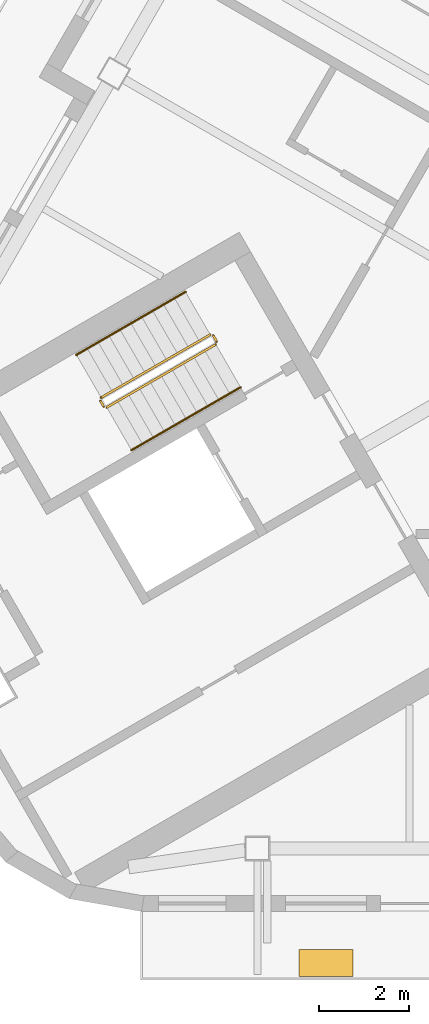
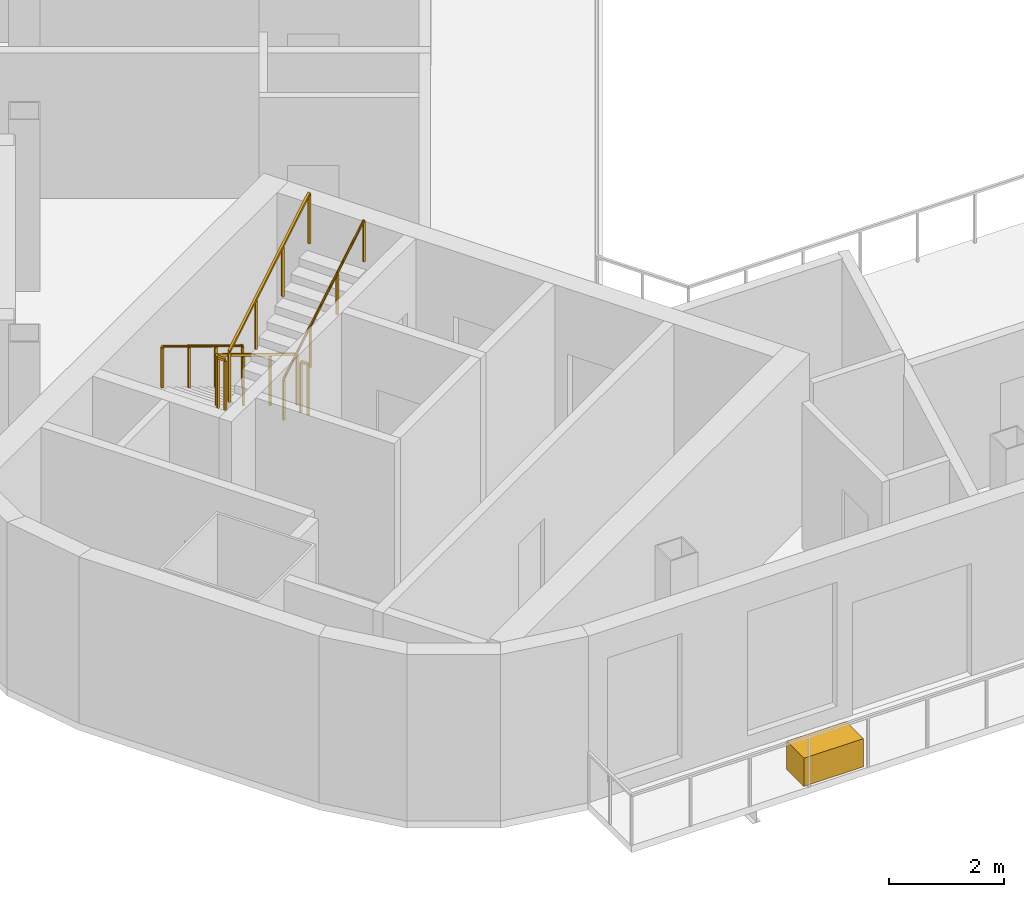
# One storey, part 9 of 12: 6 railings, 1 covering.
"""IFC4 building model written with IfcOpenShell, lengths in metres."""

from ifc_helpers import new_model, si_unit, direction, frame, origin, origin_2d, place, context, subcontext, project, spatial, rectangle, circle, extrude, material, type_object, element, save


model = new_model("IFC4")

# Units and contexts
model_context = context("Model", 3, precision=1e-05, world=origin(), true_north=direction((0.0, 1.0)))
body_context = subcontext(model_context, "Body", "Model", "MODEL_VIEW")
ifc_project = project(units=[si_unit("LENGTHUNIT", "METRE"), si_unit("AREAUNIT", "SQUARE_METRE"), si_unit("VOLUMEUNIT", "CUBIC_METRE"), si_unit("PLANEANGLEUNIT", "RADIAN"), si_unit("MASSUNIT", "GRAM", prefix="KILO")], contexts=[model_context])

# Site, building, storey
site_placement = place(None, origin())
site = spatial("IfcSite", under=ifc_project, at=site_placement, CompositionType="ELEMENT")
building_placement = place(site_placement, origin())
building = spatial("IfcBuilding", under=site, at=building_placement, Name="Apuvela Tower Hotel", CompositionType="ELEMENT")
storey_placement = place(building_placement, frame((0.0, 0.0, 305.89990234375)))
storey = spatial("IfcBuildingStorey", under=building, at=storey_placement, Name="L76", CompositionType="ELEMENT", Elevation=305.89990234375)

# Railings
ifc_material_1 = material(Name="Steel S275 balustrade", Category="steel")
railing_type_1 = type_object("IfcRailingType", Name="COR-GUARD-1100", PredefinedType="GUARDRAIL", material=ifc_material_1)
railing_1_placement = place(storey_placement, frame((-14.569091796875, -3.9658203125, 0.168212890625)))
element("IfcRailing", 1, at=railing_1_placement, inside=storey, type_object=railing_type_1, Name="L76 ST2 stair guard 1", PredefinedType="GUARDRAIL", context=body_context, shape_type="SweptSolid", body=[
    extrude(rectangle(XDim=0.048095703125, YDim=0.048095703125, at=origin_2d()), frame((0.0, 0.0, 1.076171875), z_axis=(-0.742390482028, -0.42860119049, 0.514934356695), x_axis=(0.49998411664, -0.866034573852, 0.0)), (0.0, 0.0, 1.0), 3.26611328125),
    extrude(rectangle(XDim=0.0419921875, YDim=0.0419921875, at=origin_2d()), origin(), (0.0, 0.0, 1.0), 1.052001953125),
    extrude(rectangle(XDim=0.0419921875, YDim=0.0419921875, at=origin_2d()), frame((-0.808349609375, -0.466552734375, 0.560546875)), (0.0, 0.0, 1.0), 1.052001953125),
    extrude(rectangle(XDim=0.0419921875, YDim=0.0419921875, at=origin_2d()), frame((-1.616455078125, -0.933349609375, 1.121337890625)), (0.0, 0.0, 1.0), 1.052001953125),
    extrude(rectangle(XDim=0.0419921875, YDim=0.0419921875, at=origin_2d()), frame((-2.4248046875, -1.39990234375, 1.681884765625)), (0.0, 0.0, 1.0), 1.052001953125),
])
railing_2_placement = place(storey_placement, frame((-17.01220703125, -5.43408203125, 1.85009765625)))
element("IfcRailing", 2, at=railing_2_placement, inside=storey, type_object=railing_type_1, Name="L76 ST2 stair guard 2", PredefinedType="GUARDRAIL", context=body_context, shape_type="SweptSolid", body=[
    extrude(rectangle(XDim=0.048095703125, YDim=0.048095703125, at=origin_2d()), frame((0.0, 0.0, 1.076171875), z_axis=(0.499816412211, -0.866131372301, 0.0), x_axis=(0.866131372301, 0.499816412211, 0.0)), (0.0, 0.0, 1.0), 0.14990234375),
    extrude(rectangle(XDim=0.0419921875, YDim=0.0419921875, at=origin_2d()), origin(), (0.0, 0.0, 1.0), 1.052001953125),
    extrude(rectangle(XDim=0.0419921875, YDim=0.0419921875, at=origin_2d()), frame((0.074951171875, -0.1298828125, 0.0)), (0.0, 0.0, 1.0), 1.052001953125),
])
railing_3_placement = place(storey_placement, frame((-16.868896484375, -5.582275390625, 2.018310546875)))
element("IfcRailing", 3, at=railing_3_placement, inside=storey, type_object=railing_type_1, Name="L76 ST2 stair guard 3", PredefinedType="GUARDRAIL", context=body_context, shape_type="SweptSolid", body=[
    extrude(rectangle(XDim=0.048095703125, YDim=0.048095703125, at=origin_2d()), frame((0.0, 0.0, 1.076171875), z_axis=(0.742390482028, 0.42860119049, 0.514934356695), x_axis=(-0.49998411664, 0.866034573852, 0.0)), (0.0, 0.0, 1.0), 3.26611328125),
    extrude(rectangle(XDim=0.0419921875, YDim=0.0419921875, at=origin_2d()), origin(), (0.0, 0.0, 1.0), 1.052001953125),
    extrude(rectangle(XDim=0.0419921875, YDim=0.0419921875, at=origin_2d()), frame((0.808349609375, 0.466552734375, 0.560546875)), (0.0, 0.0, 1.0), 1.052001953125),
    extrude(rectangle(XDim=0.0419921875, YDim=0.0419921875, at=origin_2d()), frame((1.616455078125, 0.933349609375, 1.121337890625)), (0.0, 0.0, 1.0), 1.052001953125),
    extrude(rectangle(XDim=0.0419921875, YDim=0.0419921875, at=origin_2d()), frame((2.4248046875, 1.39990234375, 1.681884765625)), (0.0, 0.0, 1.0), 1.052001953125),
])
railing_4_placement = place(storey_placement, frame((-14.500732421875, -3.984130859375, 0.0)))
element("IfcRailing", 4, at=railing_4_placement, inside=storey, type_object=railing_type_1, Name="L76 ST2 stair guard 4", PredefinedType="GUARDRAIL", context=body_context, shape_type="SweptSolid", body=[
    extrude(rectangle(XDim=0.048095703125, YDim=0.048095703125, at=origin_2d()), frame((0.0, 0.0, 1.076171875), z_axis=(0.499816412211, -0.866131372301, 0.0), x_axis=(0.866131372301, 0.499816412211, 0.0)), (0.0, 0.0, 1.0), 0.14990234375),
    extrude(rectangle(XDim=0.0419921875, YDim=0.0419921875, at=origin_2d()), origin(), (0.0, 0.0, 1.0), 1.052001953125),
    extrude(rectangle(XDim=0.0419921875, YDim=0.0419921875, at=origin_2d()), frame((0.074951171875, -0.1298828125, 0.0)), (0.0, 0.0, 1.0), 1.052001953125),
])
ifc_material_2 = material(Name="Stainless steel 316 handrail", Category="steel")
railing_type_2 = type_object("IfcRailingType", Name="COR-HANDRAIL-900", PredefinedType="HANDRAIL", material=ifc_material_2)
railing_5_placement = place(storey_placement, frame((-15.118896484375, -3.01318359375, 0.168212890625)))
element("IfcRailing", 5, at=railing_5_placement, inside=storey, type_object=railing_type_2, Name="L76 ST2 stair handrail 1", PredefinedType="HANDRAIL", context=body_context, shape_type="SweptSolid", body=[
    extrude(circle(Radius=0.02392578125, at=origin_2d()), frame((0.0, 0.0, 0.8759765625), z_axis=(-0.742424030051, -0.428577407461, 0.514905783049), x_axis=(0.49994636267, -0.866056369097, 0.0)), (0.0, 0.0, 1.0), 3.266357421875),
    extrude(rectangle(XDim=0.0419921875, YDim=0.0419921875, at=origin_2d()), origin(), (0.0, 0.0, 1.0), 0.851806640625),
    extrude(rectangle(XDim=0.0419921875, YDim=0.0419921875, at=origin_2d()), frame((-0.808349609375, -0.466552734375, 0.560546875)), (0.0, 0.0, 1.0), 0.851806640625),
    extrude(rectangle(XDim=0.0419921875, YDim=0.0419921875, at=origin_2d()), frame((-1.61669921875, -0.933349609375, 1.121337890625)), (0.0, 0.0, 1.0), 0.851806640625),
    extrude(rectangle(XDim=0.0419921875, YDim=0.0419921875, at=origin_2d()), frame((-2.425048828125, -1.39990234375, 1.681884765625)), (0.0, 0.0, 1.0), 0.851806640625),
])
railing_6_placement = place(storey_placement, frame((-16.31884765625, -6.534912109375, 2.018310546875)))
element("IfcRailing", 6, at=railing_6_placement, inside=storey, type_object=railing_type_2, Name="L76 ST2 stair handrail 2", PredefinedType="HANDRAIL", context=body_context, shape_type="SweptSolid", body=[
    extrude(circle(Radius=0.02392578125, at=origin_2d()), frame((0.0, 0.0, 0.8759765625), z_axis=(0.742390482028, 0.42860119049, 0.514934356695), x_axis=(-0.49998411664, 0.866034573852, 0.0)), (0.0, 0.0, 1.0), 3.26611328125),
    extrude(rectangle(XDim=0.0419921875, YDim=0.0419921875, at=origin_2d()), origin(), (0.0, 0.0, 1.0), 0.851806640625),
    extrude(rectangle(XDim=0.0419921875, YDim=0.0419921875, at=origin_2d()), frame((0.808349609375, 0.466552734375, 0.560546875)), (0.0, 0.0, 1.0), 0.851806640625),
    extrude(rectangle(XDim=0.0419921875, YDim=0.0419921875, at=origin_2d()), frame((1.616455078125, 0.933349609375, 1.121337890625)), (0.0, 0.0, 1.0), 0.851806640625),
    extrude(rectangle(XDim=0.0419921875, YDim=0.0419921875, at=origin_2d()), frame((2.4248046875, 1.39990234375, 1.681884765625)), (0.0, 0.0, 1.0), 0.851806640625),
])

# Covering
ifc_material_3 = material(Name="Planting substrate and soil, planted")
covering_type = type_object("IfcCoveringType", Name="ENV-PLANTER-1200x600", PredefinedType="USERDEFINED", material=ifc_material_3)
covering_placement = place(storey_placement, frame((-11.9931640625, -17.944580078125, 0.0), z_axis=(0.0, 0.0, 1.0), x_axis=(1.0, 0.0, 0.0)))
element("IfcCovering", 7, at=covering_placement, inside=storey, type_object=covering_type, Name="Planter S1", ObjectType="PLANTER", PredefinedType="USERDEFINED", context=body_context, shape_type="SweptSolid", body=[
    extrude(rectangle(XDim=1.199951171875, YDim=0.60009765625, at=origin_2d()), origin(), (0.0, 0.0, 1.0), 0.60009765625),
])

save(model, "model.ifc")
